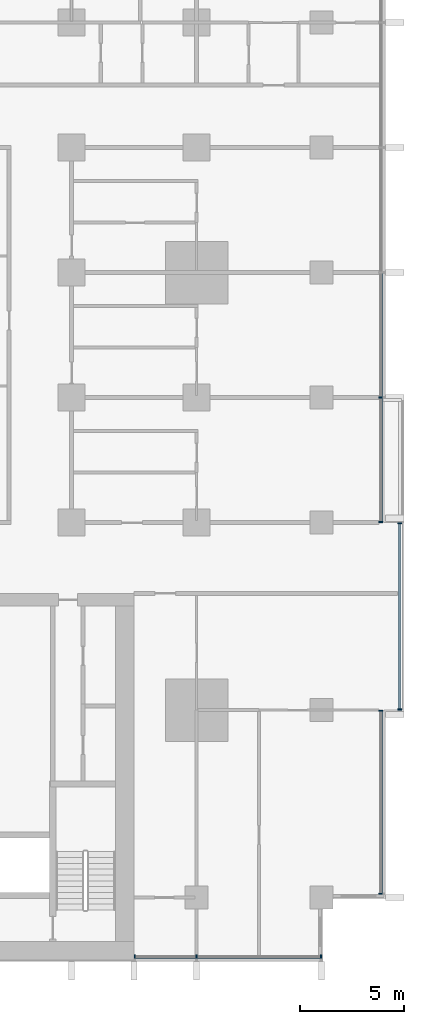
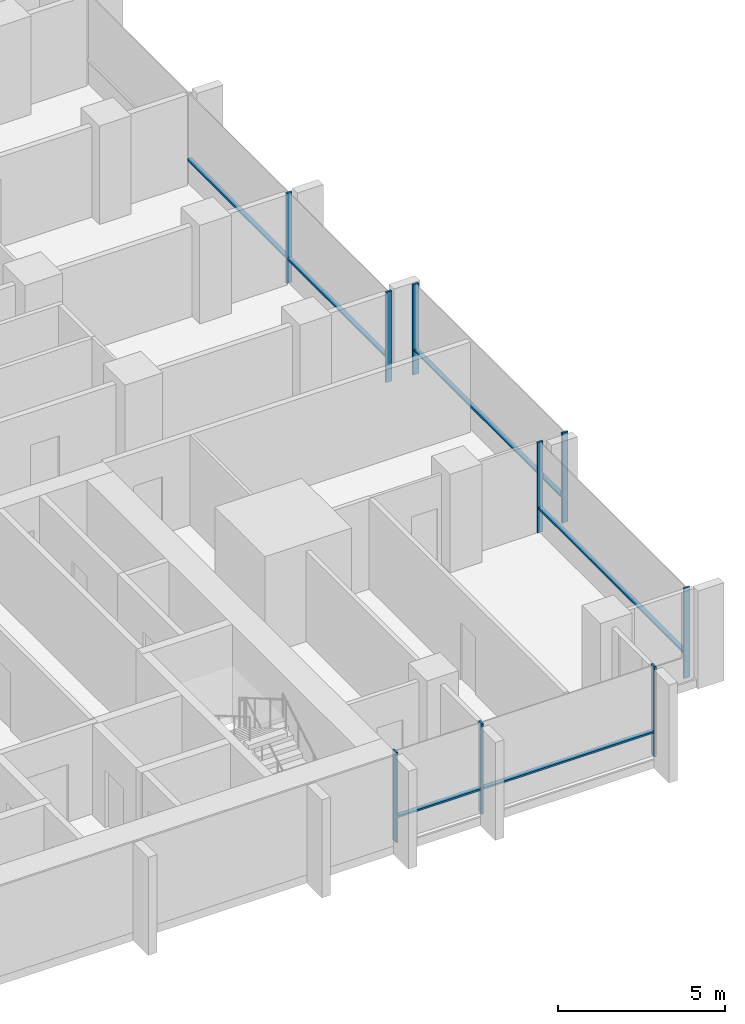
# One storey, part 3 of 18: 15 members, 4 elements without a shape of their own.
"""IFC4 building model written with IfcOpenShell, lengths in metres."""

from ifc_helpers import new_model, si_unit, direction, frame, origin, origin_2d, place, context, subcontext, project, spatial, rectangle, extrude, material, material_profile, profile_set, type_object, element, aggregate, save


model = new_model("IFC4")

# Units and contexts
model_context = context("Model", 3, precision=1e-05, world=origin(), true_north=direction((0.0, 1.0)))
body_context = subcontext(model_context, "Body", "Model", "MODEL_VIEW")
ifc_project = project(units=[si_unit("LENGTHUNIT", "METRE"), si_unit("AREAUNIT", "SQUARE_METRE"), si_unit("VOLUMEUNIT", "CUBIC_METRE"), si_unit("PLANEANGLEUNIT", "RADIAN"), si_unit("MASSUNIT", "GRAM", prefix="KILO")], contexts=[model_context])

# Site, building, storey
site_placement = place(None, origin())
site = spatial("IfcSite", under=ifc_project, at=site_placement, CompositionType="ELEMENT")
building_placement = place(site_placement, origin())
building = spatial("IfcBuilding", under=site, at=building_placement, Name="Finial Court Residences", CompositionType="ELEMENT")
storey_placement = place(building_placement, frame((0.0, 0.0, 46.89990234375)))
storey = spatial("IfcBuildingStorey", under=building, at=storey_placement, Name="L10", CompositionType="ELEMENT", Elevation=46.89990234375)

# Curtain wall, members
ifc_material = material(Name="Bronze anodised aluminium", Category="aluminium")
curtain_wall_type = type_object("IfcCurtainWallType", Name="Unitised curtain wall, lower and middle zones", PredefinedType="NOTDEFINED", material=ifc_material)
curtain_wall_1_placement = place(storey_placement, origin())
curtain_wall_1 = element("IfcCurtainWall", 1, at=curtain_wall_1_placement, inside=storey, type_object=curtain_wall_type, Name="E-L10-CW-E5", PredefinedType="NOTDEFINED")
ifc_material_profile_1 = material_profile(ifc_material, rectangle(XDim=0.199951171875, YDim=0.06494140625, at=origin_2d()), Name="CW1 mullion 65 x 200")
ifc_profile_set_1 = profile_set([ifc_material_profile_1], Name="Bronze anodised aluminium")
member_type_1 = type_object("IfcMemberType", Name="CW1 mullion 65 x 200", PredefinedType="MULLION", material=ifc_profile_set_1)
member_1_placement = place(storey_placement, frame((25.35009765625, -22.3173828125, 0.0), z_axis=(0.0, 0.0, 1.0), x_axis=(-1.0, 0.0, 0.0)))
member_1 = element("IfcMember", 2, at=member_1_placement, type_object=member_type_1, Name="CW1 mullion 1", PredefinedType="MULLION", context=body_context, shape_type="SweptSolid", body=[
    extrude(rectangle(XDim=0.199951171875, YDim=0.06494140625, at=origin_2d()), origin(), (0.0, 0.0, 1.0), 3.300048828125),
])
member_2_placement = place(storey_placement, frame((25.35009765625, -13.532470703125, 0.0), z_axis=(0.0, 0.0, 1.0), x_axis=(-1.0, 0.0, 0.0)))
member_2 = element("IfcMember", 3, at=member_2_placement, type_object=member_type_1, Name="CW1 mullion 2", PredefinedType="MULLION", context=body_context, shape_type="SweptSolid", body=[
    extrude(rectangle(XDim=0.199951171875, YDim=0.06494140625, at=origin_2d()), origin(), (0.0, 0.0, 1.0), 3.300048828125),
])

curtain_wall_2_placement = place(storey_placement, origin())
curtain_wall_2 = element("IfcCurtainWall", 4, at=curtain_wall_2_placement, inside=storey, type_object=curtain_wall_type, Name="E-L10-CW-E6", PredefinedType="NOTDEFINED")
member_3_placement = place(storey_placement, frame((26.25, -13.467529296875, 0.0), z_axis=(0.0, 0.0, 1.0), x_axis=(-1.0, 0.0, 0.0)))
member_3 = element("IfcMember", 5, at=member_3_placement, type_object=member_type_1, Name="CW1 mullion 1", PredefinedType="MULLION", context=body_context, shape_type="SweptSolid", body=[
    extrude(rectangle(XDim=0.199951171875, YDim=0.06494140625, at=origin_2d()), origin(), (0.0, 0.0, 1.0), 3.300048828125),
])
member_4_placement = place(storey_placement, frame((26.25, -4.532470703125, 0.0), z_axis=(0.0, 0.0, 1.0), x_axis=(-1.0, 0.0, 0.0)))
member_4 = element("IfcMember", 6, at=member_4_placement, type_object=member_type_1, Name="CW1 mullion 2", PredefinedType="MULLION", context=body_context, shape_type="SweptSolid", body=[
    extrude(rectangle(XDim=0.199951171875, YDim=0.06494140625, at=origin_2d()), origin(), (0.0, 0.0, 1.0), 3.300048828125),
])

curtain_wall_3_placement = place(storey_placement, origin())
curtain_wall_3 = element("IfcCurtainWall", 7, at=curtain_wall_3_placement, inside=storey, type_object=curtain_wall_type, Name="E-L10-CW-E7", PredefinedType="NOTDEFINED")
member_5_placement = place(storey_placement, frame((25.35009765625, -4.467529296875, 0.0), z_axis=(0.0, 0.0, 1.0), x_axis=(-1.0, 0.0, 0.0)))
member_5 = element("IfcMember", 8, at=member_5_placement, type_object=member_type_1, Name="CW1 mullion 1", PredefinedType="MULLION", context=body_context, shape_type="SweptSolid", body=[
    extrude(rectangle(XDim=0.199951171875, YDim=0.06494140625, at=origin_2d()), origin(), (0.0, 0.0, 1.0), 3.300048828125),
])
member_6_placement = place(storey_placement, frame((25.35009765625, 1.5, 0.0), z_axis=(0.0, 0.0, 1.0), x_axis=(-1.0, 0.0, 0.0)))
member_6 = element("IfcMember", 9, at=member_6_placement, type_object=member_type_1, Name="CW1 mullion 2", PredefinedType="MULLION", context=body_context, shape_type="SweptSolid", body=[
    extrude(rectangle(XDim=0.199951171875, YDim=0.06494140625, at=origin_2d()), origin(), (0.0, 0.0, 1.0), 3.300048828125),
])

curtain_wall_4_placement = place(storey_placement, origin())
curtain_wall_4 = element("IfcCurtainWall", 10, at=curtain_wall_4_placement, inside=storey, type_object=curtain_wall_type, Name="E-L10-CW-S9", PredefinedType="NOTDEFINED")
member_7_placement = place(storey_placement, frame((13.532470703125, -25.35009765625, 0.0), z_axis=(0.0, 0.0, 1.0), x_axis=(0.0, 1.0, 0.0)))
member_7 = element("IfcMember", 11, at=member_7_placement, type_object=member_type_1, Name="CW1 mullion 1", PredefinedType="MULLION", context=body_context, shape_type="SweptSolid", body=[
    extrude(rectangle(XDim=0.199951171875, YDim=0.06494140625, at=origin_2d()), origin(), (0.0, 0.0, 1.0), 3.300048828125),
])
member_8_placement = place(storey_placement, frame((16.5, -25.35009765625, 0.0), z_axis=(0.0, 0.0, 1.0), x_axis=(0.0, 1.0, 0.0)))
member_8 = element("IfcMember", 12, at=member_8_placement, type_object=member_type_1, Name="CW1 mullion 2", PredefinedType="MULLION", context=body_context, shape_type="SweptSolid", body=[
    extrude(rectangle(XDim=0.199951171875, YDim=0.06494140625, at=origin_2d()), origin(), (0.0, 0.0, 1.0), 3.300048828125),
])
member_9_placement = place(storey_placement, frame((22.467529296875, -25.35009765625, 0.0), z_axis=(0.0, 0.0, 1.0), x_axis=(0.0, 1.0, 0.0)))
member_9 = element("IfcMember", 13, at=member_9_placement, type_object=member_type_1, Name="CW1 mullion 3", PredefinedType="MULLION", context=body_context, shape_type="SweptSolid", body=[
    extrude(rectangle(XDim=0.199951171875, YDim=0.06494140625, at=origin_2d()), origin(), (0.0, 0.0, 1.0), 3.300048828125),
])

# Member
ifc_material_profile_2 = material_profile(ifc_material, rectangle(XDim=0.14990234375, YDim=0.06494140625, at=origin_2d()), Name="CW1 transom 65 x 150")
ifc_profile_set_2 = profile_set([ifc_material_profile_2], Name="Bronze anodised aluminium")
member_type_2 = type_object("IfcMemberType", Name="CW1 transom 65 x 150", PredefinedType="USERDEFINED", material=ifc_profile_set_2)
member_10_placement = place(storey_placement, frame((25.35009765625, -22.284912109375, 0.900146484375), z_axis=(0.0, 1.0, 0.0), x_axis=(-1.0, 0.0, 0.0)))
member_10 = element("IfcMember", 14, at=member_10_placement, type_object=member_type_2, Name="CW1 transom 1.1", ObjectType="TRANSOM", PredefinedType="USERDEFINED", context=body_context, shape_type="SweptSolid", body=[
    extrude(rectangle(XDim=0.14990234375, YDim=0.06494140625, at=origin_2d()), origin(), (0.0, 0.0, 1.0), 8.719970703125),
])

aggregate(curtain_wall_1, [member_1, member_2, member_10])

member_11_placement = place(storey_placement, frame((26.25, -13.43505859375, 0.900146484375), z_axis=(0.0, 1.0, 0.0), x_axis=(-1.0, 0.0, 0.0)))
member_11 = element("IfcMember", 15, at=member_11_placement, type_object=member_type_2, Name="CW1 transom 1.1", ObjectType="TRANSOM", PredefinedType="USERDEFINED", context=body_context, shape_type="SweptSolid", body=[
    extrude(rectangle(XDim=0.14990234375, YDim=0.06494140625, at=origin_2d()), origin(), (0.0, 0.0, 1.0), 8.8701171875),
])

aggregate(curtain_wall_2, [member_3, member_4, member_11])

member_12_placement = place(storey_placement, frame((25.35009765625, -4.43505859375, 0.900146484375), z_axis=(0.0, 1.0, 0.0), x_axis=(-1.0, 0.0, 0.0)))
member_12 = element("IfcMember", 16, at=member_12_placement, type_object=member_type_2, Name="CW1 transom 1.1", ObjectType="TRANSOM", PredefinedType="USERDEFINED", context=body_context, shape_type="SweptSolid", body=[
    extrude(rectangle(XDim=0.14990234375, YDim=0.06494140625, at=origin_2d()), origin(), (0.0, 0.0, 1.0), 5.902587890625),
])

member_13_placement = place(storey_placement, frame((25.35009765625, 1.532470703125, 0.900146484375), z_axis=(0.0, 1.0, 0.0), x_axis=(-1.0, 0.0, 0.0)))
member_13 = element("IfcMember", 17, at=member_13_placement, type_object=member_type_2, Name="CW1 transom 2.1", ObjectType="TRANSOM", PredefinedType="USERDEFINED", context=body_context, shape_type="SweptSolid", body=[
    extrude(rectangle(XDim=0.14990234375, YDim=0.06494140625, at=origin_2d()), origin(), (0.0, 0.0, 1.0), 5.93505859375),
])

aggregate(curtain_wall_3, [member_5, member_6, member_12, member_13])

member_14_placement = place(storey_placement, frame((13.56494140625, -25.35009765625, 0.900146484375), z_axis=(1.0, 0.0, 0.0), x_axis=(0.0, 1.0, 0.0)))
member_14 = element("IfcMember", 18, at=member_14_placement, type_object=member_type_2, Name="CW1 transom 1.1", ObjectType="TRANSOM", PredefinedType="USERDEFINED", context=body_context, shape_type="SweptSolid", body=[
    extrude(rectangle(XDim=0.14990234375, YDim=0.06494140625, at=origin_2d()), origin(), (0.0, 0.0, 1.0), 2.902587890625),
])

member_15_placement = place(storey_placement, frame((16.532470703125, -25.35009765625, 0.900146484375), z_axis=(1.0, 0.0, 0.0), x_axis=(0.0, 1.0, 0.0)))
member_15 = element("IfcMember", 19, at=member_15_placement, type_object=member_type_2, Name="CW1 transom 2.1", ObjectType="TRANSOM", PredefinedType="USERDEFINED", context=body_context, shape_type="SweptSolid", body=[
    extrude(rectangle(XDim=0.14990234375, YDim=0.06494140625, at=origin_2d()), origin(), (0.0, 0.0, 1.0), 5.902587890625),
])

aggregate(curtain_wall_4, [member_7, member_8, member_9, member_14, member_15])

save(model, "model.ifc")
